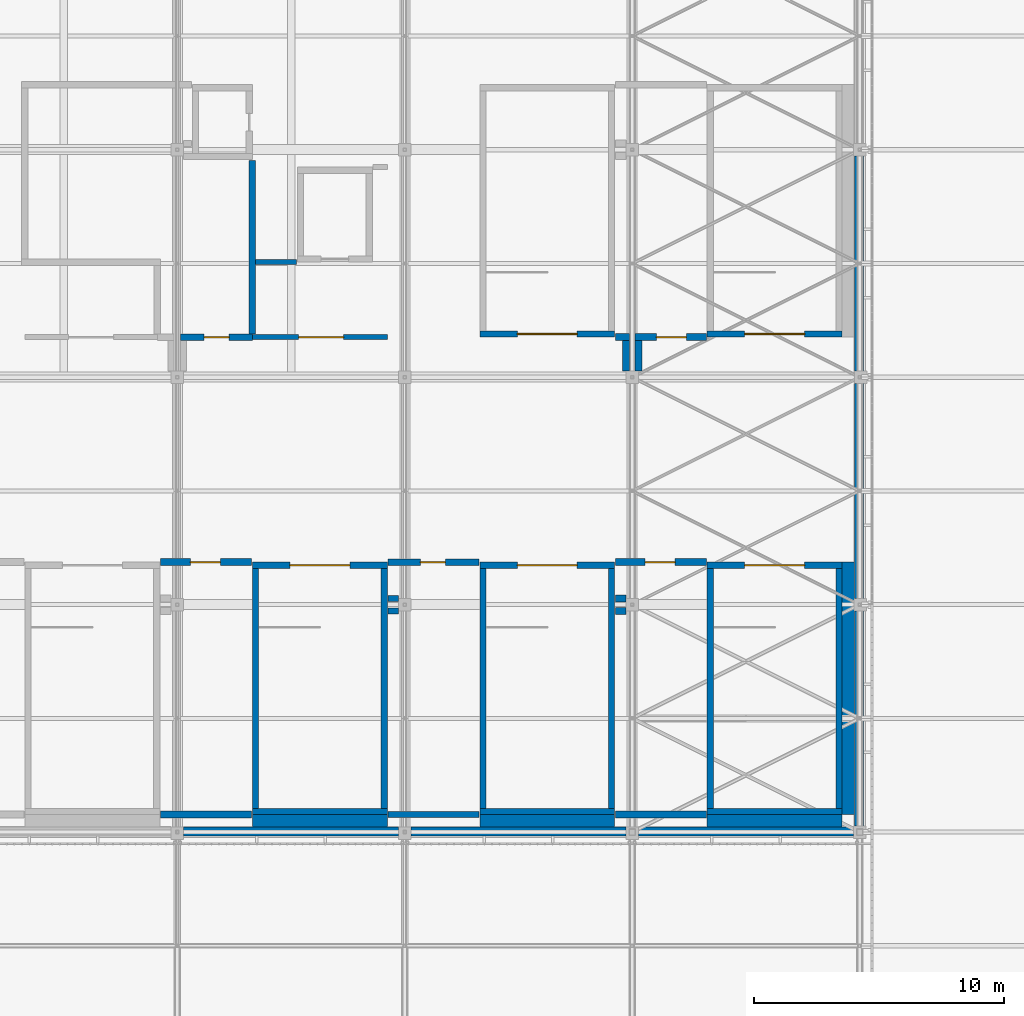
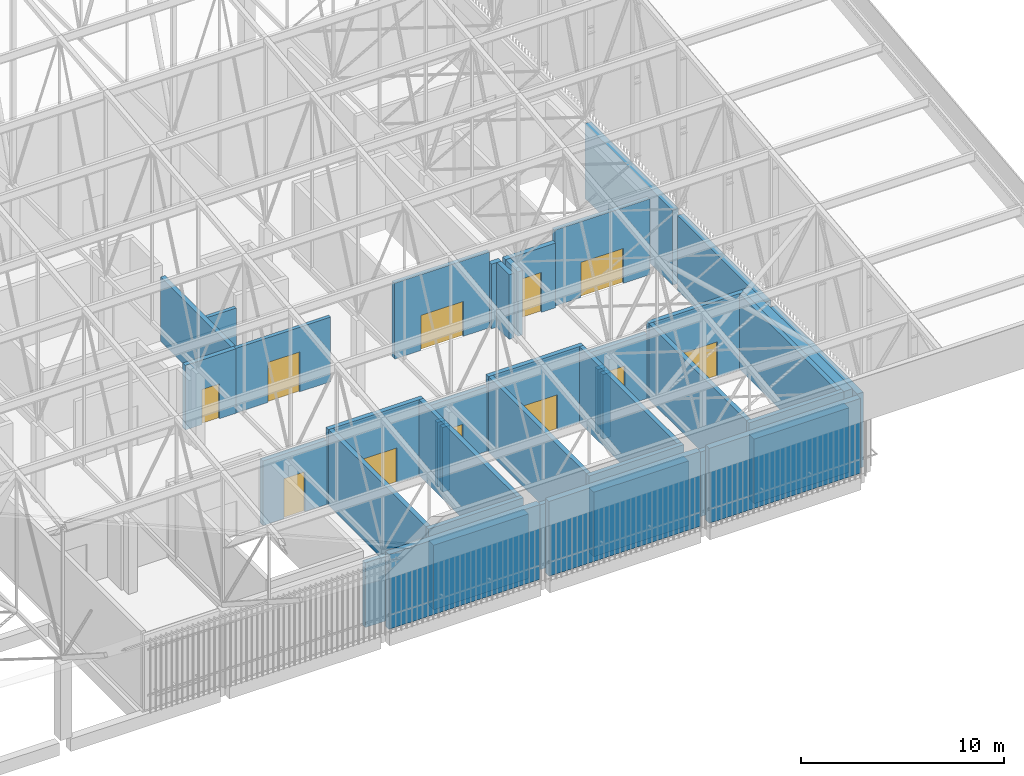
# One storey, part 435 of 500: 42 walls, 11 doors, 11 openings.
"""IFC4 building model written with IfcOpenShell, lengths in metres."""

from ifc_helpers import new_model, si_unit, direction, frame, frame_2d, origin, place, context, subcontext, project, spatial, rectangle, extrude, material, layer, layer_set, type_object, element, fill, save


model = new_model("IFC4")

# Units and contexts
model_context = context("Model", 3, precision=1e-05, world=origin(), true_north=direction((0.0, 1.0)))
body_context = subcontext(model_context, "Body", "Model", "MODEL_VIEW")
ifc_project = project(units=[si_unit("LENGTHUNIT", "METRE"), si_unit("AREAUNIT", "SQUARE_METRE"), si_unit("VOLUMEUNIT", "CUBIC_METRE"), si_unit("PLANEANGLEUNIT", "RADIAN"), si_unit("MASSUNIT", "GRAM", prefix="KILO")], contexts=[model_context])

# Site, building, storey
site_placement = place(None, origin())
site = spatial("IfcSite", under=ifc_project, at=site_placement, CompositionType="ELEMENT")
building_placement = place(site_placement, origin())
building = spatial("IfcBuilding", under=site, at=building_placement, Name="Shirokan Park Arena", CompositionType="ELEMENT")
storey_placement = place(building_placement, frame((0.0, 0.0, 29.1201171875)))
storey = spatial("IfcBuildingStorey", under=building, at=storey_placement, Name="L06", CompositionType="ELEMENT", Elevation=29.1201171875)

# Wall, opening, door
ifc_material_1 = material(Name="Plaster")
ifc_layer_1 = layer(ifc_material_1, 0.014892578125, Name="Plaster")
ifc_material_2 = material(Name="Concrete blockwork", Category="masonry")
ifc_layer_2 = layer(ifc_material_2, 0.219970703125, Name="Concrete blockwork 220")
ifc_layer_3 = layer(ifc_material_1, 0.014892578125, Name="Plaster")
ifc_layer_set_1 = layer_set([ifc_layer_1, ifc_layer_2, ifc_layer_3], Name="Plaster + Concrete blockwork 220")
wall_type_1 = type_object("IfcWallType", Name="Compartment wall 250", PredefinedType="SOLIDWALL", material=ifc_layer_set_1)
wall_1_placement = place(storey_placement, frame((118.425048828125, 19.800048828125, 0.0), z_axis=(0.0, 0.0, 1.0), x_axis=(1.0, 0.0, 0.0)))
wall_1 = element("IfcWall", 1, at=wall_1_placement, inside=storey, type_object=wall_type_1, Name="Compartment wall 250 L06", PredefinedType="SOLIDWALL", context=body_context, shape_type="SweptSolid", body=[
    extrude(rectangle(XDim=2.875, YDim=0.25, at=frame_2d((1.4375, 0.0))), origin(), (0.0, 0.0, 1.0), 3.8798828125),
])
opening_1_placement = place(wall_1_placement, frame((0.949951171875, 0.0, 0.0)))
opening_1 = element("IfcOpeningElement", 2, at=opening_1_placement, cuts=wall_1, Name="Opening D-6014", PredefinedType="OPENING", context=body_context, shape_type="SweptSolid", body=[
    extrude(rectangle(XDim=1.0, YDim=2.10009765625, at=frame_2d((0.5, 1.050048828125))), frame((0.0, 0.135009765625, 0.0), z_axis=(0.0, -1.0, 0.0), x_axis=(1.0, 0.0, 0.0)), (0.0, 0.0, 1.0), 0.27001953125),
])
ifc_material_3 = material(Name="Timber door set, fire resisting", Category="wood")
door_type_1 = type_object("IfcDoorType", Name="Door 1000 x 2100", OperationType="SINGLE_SWING_LEFT", PredefinedType="DOOR", material=ifc_material_3)
door_1_placement = place(opening_1_placement, origin())
door_1 = element("IfcDoor", 3, at=door_1_placement, inside=storey, type_object=door_type_1, Name="Door to Maintenance Equipment Store 6.28 D-6014", OperationType="SINGLE_SWING_LEFT", OverallHeight=2.10009765625, OverallWidth=1.0, PredefinedType="DOOR", context=body_context, shape_type="SweptSolid", body=[
    extrude(rectangle(XDim=1.0, YDim=2.10009765625, at=frame_2d((0.5, 1.050048828125))), frame((0.0, 0.02490234375, 0.0), z_axis=(0.0, -1.0, 0.0), x_axis=(1.0, 0.0, 0.0)), (0.0, 0.0, 1.0), 0.050048828125),
])
fill(opening_1, door_1)

# Walls
wall_2_placement = place(storey_placement, frame((121.300048828125, 19.925048828125, 0.0), z_axis=(0.0, 0.0, 1.0), x_axis=(0.0, 1.0, 0.0)))
element("IfcWall", 4, at=wall_2_placement, inside=storey, type_object=wall_type_1, Name="Compartment wall 250 L06", PredefinedType="SOLIDWALL", context=body_context, shape_type="SweptSolid", body=[
    extrude(rectangle(XDim=6.945068359375, YDim=0.25, at=frame_2d((3.47265625, 0.0))), origin(), (0.0, 0.0, 1.0), 3.8798828125),
])
for number, where, z_axis, x_axis, name in (
    (5, (126.72998046875, 8.85009765625, 0.0), (0.0, 0.0, 1.0), (1.0, 0.0, 0.0), "Compartment wall 250 L06"),
    (6, (127.14990234375, 9.35009765625, 0.0), (0.0, 0.0, 1.0), (-1.0, 0.0, 0.0), "Compartment wall 250 L06"),
):
    element("IfcWall", number, at=place(storey_placement, frame(where, z_axis=z_axis, x_axis=x_axis)), inside=storey, type_object=wall_type_1, Name=name, PredefinedType="SOLIDWALL", context=body_context, shape_type="SweptSolid", body=[
        extrude(rectangle(XDim=0.419921875, YDim=0.25, at=frame_2d((0.2099609375, 0.0))), origin(), (0.0, 0.0, 1.0), 3.8798828125),
    ])
wall_3_placement = place(storey_placement, frame((130.3701171875, 0.699951171875, 0.0), z_axis=(0.0, 0.0, 1.0), x_axis=(-1.0, 0.0, 0.0)))
element("IfcWall", 7, at=wall_3_placement, inside=storey, type_object=wall_type_1, Name="Compartment wall 250 L06", PredefinedType="SOLIDWALL", context=body_context, shape_type="SweptSolid", body=[
    extrude(rectangle(XDim=3.64013671875, YDim=0.25, at=frame_2d((1.820068359375, 0.0))), origin(), (0.0, 0.0, 1.0), 3.8798828125),
])

# Wall, opening, door
wall_4_placement = place(storey_placement, frame((130.3701171875, 10.800048828125, 0.0), z_axis=(0.0, 0.0, 1.0), x_axis=(-1.0, 0.0, 0.0)))
wall_4 = element("IfcWall", 8, at=wall_4_placement, inside=storey, type_object=wall_type_1, Name="Compartment wall 250 L06", PredefinedType="SOLIDWALL", context=body_context, shape_type="SweptSolid", body=[
    extrude(rectangle(XDim=3.64013671875, YDim=0.25, at=frame_2d((1.820068359375, 0.0))), origin(), (0.0, 0.0, 1.0), 3.8798828125),
])
opening_2_placement = place(wall_4_placement, frame((1.35009765625, 0.0, 0.0)))
opening_2 = element("IfcOpeningElement", 9, at=opening_2_placement, cuts=wall_4, Name="Opening D-6017", PredefinedType="OPENING", context=body_context, shape_type="SweptSolid", body=[
    extrude(rectangle(XDim=1.0, YDim=2.10009765625, at=frame_2d((0.5, 1.050048828125))), frame((0.0, 0.135009765625, 0.0), z_axis=(0.0, -1.0, 0.0), x_axis=(1.0, 0.0, 0.0)), (0.0, 0.0, 1.0), 0.27001953125),
])
door_2_placement = place(opening_2_placement, origin())
door_2 = element("IfcDoor", 10, at=door_2_placement, inside=storey, type_object=door_type_1, Name="Door to Maintenance Equipment Store 6.21 D-6017", OperationType="SINGLE_SWING_LEFT", OverallHeight=2.10009765625, OverallWidth=1.0, PredefinedType="DOOR", context=body_context, shape_type="SweptSolid", body=[
    extrude(rectangle(XDim=1.0, YDim=2.10009765625, at=frame_2d((0.5, 1.050048828125))), frame((0.0, 0.02490234375, 0.0), z_axis=(0.0, -1.0, 0.0), x_axis=(1.0, 0.0, 0.0)), (0.0, 0.0, 1.0), 0.050048828125),
])
fill(opening_2, door_2)

ifc_material_4 = material(Name="Gypsum board")
ifc_layer_4 = layer(ifc_material_4, 0.02490234375, Name="Gypsum board, two layers")
ifc_material_5 = material(Name="Mineral wool insulation")
ifc_layer_5 = layer(ifc_material_5, 0.14990234375, Name="Mineral wool insulation")
ifc_layer_6 = layer(ifc_material_4, 0.02490234375, Name="Gypsum board, two layers")
ifc_layer_set_2 = layer_set([ifc_layer_4, ifc_layer_5, ifc_layer_6], Name="Gypsum board, two layers + Mineral wool insulation")
wall_type_2 = type_object("IfcWallType", Name="Corridor wall 200", PredefinedType="PARTITIONING", material=ifc_layer_set_2)
wall_5_placement = place(storey_placement, frame((121.300048828125, 19.800048828125, 0.0), z_axis=(0.0, 0.0, 1.0), x_axis=(1.0, 0.0, 0.0)))
wall_5 = element("IfcWall", 11, at=wall_5_placement, inside=storey, type_object=wall_type_2, Name="Corridor wall 200 L06", PredefinedType="PARTITIONING", context=body_context, shape_type="SweptSolid", body=[
    extrude(rectangle(XDim=5.39990234375, YDim=0.199951171875, at=frame_2d((2.699951171875, 0.0))), origin(), (0.0, 0.0, 1.0), 3.8798828125),
])
opening_3_placement = place(wall_5_placement, frame((1.85009765625, 0.0, 0.0)))
opening_3 = element("IfcOpeningElement", 12, at=opening_3_placement, cuts=wall_5, Name="Opening D-6051", PredefinedType="OPENING", context=body_context, shape_type="SweptSolid", body=[
    extrude(rectangle(XDim=1.800048828125, YDim=2.39990234375, at=frame_2d((0.89990234375, 1.199951171875))), frame((0.0, 0.10986328125, 0.0), z_axis=(0.0, -1.0, 0.0), x_axis=(1.0, 0.0, 0.0)), (0.0, 0.0, 1.0), 0.219970703125),
])
ifc_material_6 = material(Name="Glazed steel door set, fire resisting", Category="steel")
door_type_2 = type_object("IfcDoorType", Name="Lift lobby door 1800 x 2400", OperationType="DOUBLE_DOOR_SINGLE_SWING", PredefinedType="DOOR", material=ifc_material_6)
door_3_placement = place(opening_3_placement, origin())
door_3 = element("IfcDoor", 13, at=door_3_placement, inside=storey, type_object=door_type_2, Name="Door between Plant Gallery 2.6.1 and Service Lift Lobby 2.6 D-6051", OperationType="DOUBLE_DOOR_SINGLE_SWING", OverallHeight=2.39990234375, OverallWidth=1.800048828125, PredefinedType="DOOR", context=body_context, shape_type="SweptSolid", body=[
    extrude(rectangle(XDim=1.800048828125, YDim=2.39990234375, at=frame_2d((0.89990234375, 1.199951171875))), frame((0.0, 0.02490234375, 0.0), z_axis=(0.0, -1.0, 0.0), x_axis=(1.0, 0.0, 0.0)), (0.0, 0.0, 1.0), 0.050048828125),
])
fill(opening_3, door_3)

# Walls
wall_6_placement = place(storey_placement, frame((121.425048828125, 22.800048828125, 0.0), z_axis=(0.0, 0.0, 1.0), x_axis=(1.0, 0.0, 0.0)))
element("IfcWall", 14, at=wall_6_placement, inside=storey, type_object=wall_type_2, Name="Corridor wall 200 L06", PredefinedType="PARTITIONING", context=body_context, shape_type="SweptSolid", body=[
    extrude(rectangle(XDim=1.64501953125, YDim=0.199951171875, at=frame_2d((0.822509765625, 0.0))), origin(), (0.0, 0.0, 1.0), 3.8798828125),
])
ifc_material_7 = material(Name="Cedar cladding")
ifc_layer_7 = layer(ifc_material_7, 0.030029296875, Name="Cedar cladding")
ifc_layer_8 = layer(ifc_material_5, 0.10009765625, Name="Mineral wool insulation")
ifc_material_8 = material(Name="Concrete C35", Category="concrete")
ifc_layer_9 = layer(ifc_material_8, 0.199951171875, Name="Concrete C35")
ifc_material_9 = material(Name="Gypsum board lining")
ifc_layer_10 = layer(ifc_material_9, 0.02001953125, Name="Gypsum board lining")
ifc_layer_set_3 = layer_set([ifc_layer_7, ifc_layer_8, ifc_layer_9, ifc_layer_10], Name="Cedar cladding + Mineral wool insulation + Concrete C35 + Gypsum board lining")
wall_type_3 = type_object("IfcWallType", Name="Insulated tower wall 350", PredefinedType="SOLIDWALL", material=ifc_layer_set_3)
wall_7_placement = place(storey_placement, frame((118.550048828125, 0.02490234375, 0.0), z_axis=(0.0, 0.0, 1.0), x_axis=(1.0, 0.0, 0.0)))
element("IfcWall", 15, at=wall_7_placement, inside=storey, type_object=wall_type_3, Name="South facade wall bay 14 L06", PredefinedType="SOLIDWALL", context=body_context, shape_type="SweptSolid", body=[
    extrude(rectangle(XDim=8.599853515625, YDim=0.35009765625, at=frame_2d((4.2998046875, 0.0))), origin(), (0.0, 0.0, 1.0), 4.5),
])
for number, where, z_axis, x_axis, name in (
    (16, (127.64990234375, 0.02490234375, 0.0), (0.0, 0.0, 1.0), (1.0, 0.0, 0.0), "South facade wall bay 15 L06"),
    (17, (136.75, 0.02490234375, 0.0), (0.0, 0.0, 1.0), (1.0, 0.0, 0.0), "South facade wall bay 16 L06"),
    (18, (145.574951171875, 0.25, 0.0), (0.0, 0.0, 1.0), (0.0, 1.0, 0.0), "East facade wall bay 1 L06"),
):
    element("IfcWall", number, at=place(storey_placement, frame(where, z_axis=z_axis, x_axis=x_axis)), inside=storey, type_object=wall_type_3, Name=name, PredefinedType="SOLIDWALL", context=body_context, shape_type="SweptSolid", body=[
        extrude(rectangle(XDim=8.60009765625, YDim=0.35009765625, at=frame_2d((4.300048828125, 0.0))), origin(), (0.0, 0.0, 1.0), 4.5),
    ])
wall_8_placement = place(storey_placement, frame((145.574951171875, 9.35009765625, 0.0), z_axis=(0.0, 0.0, 1.0), x_axis=(0.0, 1.0, 0.0)))
element("IfcWall", 19, at=wall_8_placement, inside=storey, type_object=wall_type_3, Name="East facade wall bay 2 L06", PredefinedType="SOLIDWALL", context=body_context, shape_type="SweptSolid", body=[
    extrude(rectangle(XDim=8.599853515625, YDim=0.35009765625, at=frame_2d((4.2998046875, 0.0))), origin(), (0.0, 0.0, 1.0), 4.5),
])
wall_9_placement = place(storey_placement, frame((145.574951171875, 18.449951171875, 0.0), z_axis=(0.0, 0.0, 1.0), x_axis=(0.0, 1.0, 0.0)))
element("IfcWall", 20, at=wall_9_placement, inside=storey, type_object=wall_type_3, Name="East facade wall bay 3 L06", PredefinedType="SOLIDWALL", context=body_context, shape_type="SweptSolid", body=[
    extrude(rectangle(XDim=8.60009765625, YDim=0.35009765625, at=frame_2d((4.300048828125, 0.0))), origin(), (0.0, 0.0, 1.0), 4.5),
])
ifc_layer_11 = layer(ifc_material_1, 0.012451171875, Name="Plaster")
ifc_layer_12 = layer(ifc_material_2, 0.25, Name="Concrete blockwork 250")
ifc_layer_13 = layer(ifc_material_1, 0.012451171875, Name="Plaster")
ifc_layer_set_4 = layer_set([ifc_layer_11, ifc_layer_12, ifc_layer_13], Name="Plaster + Concrete blockwork 250")
wall_type_4 = type_object("IfcWallType", Name="Plant room wall 275", PredefinedType="SOLIDWALL", material=ifc_layer_set_4)
wall_10_placement = place(storey_placement, frame((121.27001953125, 0.699951171875, 0.0), z_axis=(0.0, 0.0, 1.0), x_axis=(-1.0, 0.0, 0.0)))
element("IfcWall", 21, at=wall_10_placement, inside=storey, type_object=wall_type_4, Name="Plant room wall 275 L06", PredefinedType="SOLIDWALL", context=body_context, shape_type="SweptSolid", body=[
    extrude(rectangle(XDim=3.64013671875, YDim=0.27490234375, at=frame_2d((1.820068359375, 0.0))), origin(), (0.0, 0.0, 1.0), 3.8798828125),
])

# Wall, opening, door
wall_11_placement = place(storey_placement, frame((121.27001953125, 10.800048828125, 0.0), z_axis=(0.0, 0.0, 1.0), x_axis=(-1.0, 0.0, 0.0)))
wall_11 = element("IfcWall", 22, at=wall_11_placement, inside=storey, type_object=wall_type_4, Name="Plant room wall 275 L06", PredefinedType="SOLIDWALL", context=body_context, shape_type="SweptSolid", body=[
    extrude(rectangle(XDim=3.64013671875, YDim=0.27490234375, at=frame_2d((1.820068359375, 0.0))), origin(), (0.0, 0.0, 1.0), 3.8798828125),
])
opening_4_placement = place(wall_11_placement, frame((1.25, 0.0, 0.0)))
opening_4 = element("IfcOpeningElement", 23, at=opening_4_placement, cuts=wall_11, Name="Opening D-6018", PredefinedType="OPENING", context=body_context, shape_type="SweptSolid", body=[
    extrude(rectangle(XDim=1.199951171875, YDim=2.39990234375, at=frame_2d((0.60009765625, 1.199951171875))), frame((0.0, 0.1474609375, 0.0), z_axis=(0.0, -1.0, 0.0), x_axis=(1.0, 0.0, 0.0)), (0.0, 0.0, 1.0), 0.294921875),
])
ifc_material_10 = material(Name="Louvred steel door set, fire resisting", Category="steel")
door_type_3 = type_object("IfcDoorType", Name="Plant room door 1200 x 2400", OperationType="SINGLE_SWING_LEFT", PredefinedType="DOOR", material=ifc_material_10)
door_4_placement = place(opening_4_placement, origin())
door_4 = element("IfcDoor", 24, at=door_4_placement, inside=storey, type_object=door_type_3, Name="Door to Tank Room 6.22 D-6018", OperationType="SINGLE_SWING_LEFT", OverallHeight=2.39990234375, OverallWidth=1.199951171875, PredefinedType="DOOR", context=body_context, shape_type="SweptSolid", body=[
    extrude(rectangle(XDim=1.199951171875, YDim=2.39990234375, at=frame_2d((0.60009765625, 1.199951171875))), frame((0.0, 0.02490234375, 0.0), z_axis=(0.0, -1.0, 0.0), x_axis=(1.0, 0.0, 0.0)), (0.0, 0.0, 1.0), 0.050048828125),
])
fill(opening_4, door_4)

# Walls
wall_12_placement = place(storey_placement, frame((135.830078125, 8.85009765625, 0.0), z_axis=(0.0, 0.0, 1.0), x_axis=(1.0, 0.0, 0.0)))
element("IfcWall", 25, at=wall_12_placement, inside=storey, type_object=wall_type_4, Name="Plant room wall 275 L06", PredefinedType="SOLIDWALL", context=body_context, shape_type="SweptSolid", body=[
    extrude(rectangle(XDim=0.419921875, YDim=0.27490234375, at=frame_2d((0.2099609375, 0.0))), origin(), (0.0, 0.0, 1.0), 3.8798828125),
])
wall_13_placement = place(storey_placement, frame((135.830078125, 19.800048828125, 0.0), z_axis=(0.0, 0.0, 1.0), x_axis=(1.0, 0.0, 0.0)))
element("IfcWall", 26, at=wall_13_placement, inside=storey, type_object=wall_type_4, Name="Plant room wall 275 L06", PredefinedType="SOLIDWALL", context=body_context, shape_type="SweptSolid", body=[
    extrude(rectangle(XDim=0.557373046875, YDim=0.27490234375, at=frame_2d((0.27880859375, 0.0))), origin(), (0.0, 0.0, 1.0), 3.8798828125),
])
wall_14_placement = place(storey_placement, frame((136.25, 9.35009765625, 0.0), z_axis=(0.0, 0.0, 1.0), x_axis=(-1.0, 0.0, 0.0)))
element("IfcWall", 27, at=wall_14_placement, inside=storey, type_object=wall_type_4, Name="Plant room wall 275 L06", PredefinedType="SOLIDWALL", context=body_context, shape_type="SweptSolid", body=[
    extrude(rectangle(XDim=0.419921875, YDim=0.27490234375, at=frame_2d((0.2099609375, 0.0))), origin(), (0.0, 0.0, 1.0), 3.8798828125),
])
wall_15_placement = place(storey_placement, frame((136.25, 19.66259765625, 0.0), z_axis=(0.0, 0.0, 1.0), x_axis=(0.0, -1.0, 0.0)))
element("IfcWall", 28, at=wall_15_placement, inside=storey, type_object=wall_type_4, Name="Plant room wall 275 L06", PredefinedType="SOLIDWALL", context=body_context, shape_type="SweptSolid", body=[
    extrude(rectangle(XDim=1.212646484375, YDim=0.27490234375, at=frame_2d((0.6064453125, 0.0))), origin(), (0.0, 0.0, 1.0), 3.8798828125),
])

# Wall, opening, door
wall_16_placement = place(storey_placement, frame((136.612548828125, 19.800048828125, 0.0), z_axis=(0.0, 0.0, 1.0), x_axis=(1.0, 0.0, 0.0)))
wall_16 = element("IfcWall", 29, at=wall_16_placement, inside=storey, type_object=wall_type_4, Name="Plant room wall 275 L06", PredefinedType="SOLIDWALL", context=body_context, shape_type="SweptSolid", body=[
    extrude(rectangle(XDim=2.857421875, YDim=0.27490234375, at=frame_2d((1.4287109375, 0.0))), origin(), (0.0, 0.0, 1.0), 3.8798828125),
])
opening_5_placement = place(wall_16_placement, frame((0.85009765625, 0.0, 0.0)))
opening_5 = element("IfcOpeningElement", 30, at=opening_5_placement, cuts=wall_16, Name="Opening D-6013", PredefinedType="OPENING", context=body_context, shape_type="SweptSolid", body=[
    extrude(rectangle(XDim=1.199951171875, YDim=2.39990234375, at=frame_2d((0.60009765625, 1.199951171875))), frame((0.0, 0.1474609375, 0.0), z_axis=(0.0, -1.0, 0.0), x_axis=(1.0, 0.0, 0.0)), (0.0, 0.0, 1.0), 0.294921875),
])
door_5_placement = place(opening_5_placement, origin())
door_5 = element("IfcDoor", 31, at=door_5_placement, inside=storey, type_object=door_type_3, Name="Door to Electrical Room 6.27 D-6013", OperationType="SINGLE_SWING_LEFT", OverallHeight=2.39990234375, OverallWidth=1.199951171875, PredefinedType="DOOR", context=body_context, shape_type="SweptSolid", body=[
    extrude(rectangle(XDim=1.199951171875, YDim=2.39990234375, at=frame_2d((0.60009765625, 1.199951171875))), frame((0.0, 0.02490234375, 0.0), z_axis=(0.0, -1.0, 0.0), x_axis=(1.0, 0.0, 0.0)), (0.0, 0.0, 1.0), 0.050048828125),
])
fill(opening_5, door_5)

# Walls
wall_17_placement = place(storey_placement, frame((136.75, 18.449951171875, 0.0), z_axis=(0.0, 0.0, 1.0), x_axis=(0.0, 1.0, 0.0)))
element("IfcWall", 32, at=wall_17_placement, inside=storey, type_object=wall_type_4, Name="Plant room wall 275 L06", PredefinedType="SOLIDWALL", context=body_context, shape_type="SweptSolid", body=[
    extrude(rectangle(XDim=1.212646484375, YDim=0.27490234375, at=frame_2d((0.6064453125, 0.0))), origin(), (0.0, 0.0, 1.0), 3.8798828125),
])
wall_18_placement = place(storey_placement, frame((139.469970703125, 0.699951171875, 0.0), z_axis=(0.0, 0.0, 1.0), x_axis=(-1.0, 0.0, 0.0)))
element("IfcWall", 33, at=wall_18_placement, inside=storey, type_object=wall_type_4, Name="Plant room wall 275 L06", PredefinedType="SOLIDWALL", context=body_context, shape_type="SweptSolid", body=[
    extrude(rectangle(XDim=3.639892578125, YDim=0.27490234375, at=frame_2d((1.81982421875, 0.0))), origin(), (0.0, 0.0, 1.0), 3.8798828125),
])

# Wall, opening, door
wall_19_placement = place(storey_placement, frame((139.469970703125, 10.800048828125, 0.0), z_axis=(0.0, 0.0, 1.0), x_axis=(-1.0, 0.0, 0.0)))
wall_19 = element("IfcWall", 34, at=wall_19_placement, inside=storey, type_object=wall_type_4, Name="Plant room wall 275 L06", PredefinedType="SOLIDWALL", context=body_context, shape_type="SweptSolid", body=[
    extrude(rectangle(XDim=3.639892578125, YDim=0.27490234375, at=frame_2d((1.81982421875, 0.0))), origin(), (0.0, 0.0, 1.0), 3.8798828125),
])
opening_6_placement = place(wall_19_placement, frame((1.25, 0.0, 0.0)))
opening_6 = element("IfcOpeningElement", 35, at=opening_6_placement, cuts=wall_19, Name="Opening D-6016", PredefinedType="OPENING", context=body_context, shape_type="SweptSolid", body=[
    extrude(rectangle(XDim=1.199951171875, YDim=2.39990234375, at=frame_2d((0.60009765625, 1.199951171875))), frame((0.0, 0.1474609375, 0.0), z_axis=(0.0, -1.0, 0.0), x_axis=(1.0, 0.0, 0.0)), (0.0, 0.0, 1.0), 0.294921875),
])
door_6_placement = place(opening_6_placement, origin())
door_6 = element("IfcDoor", 36, at=door_6_placement, inside=storey, type_object=door_type_3, Name="Door to Communications Room 6.20 D-6016", OperationType="SINGLE_SWING_LEFT", OverallHeight=2.39990234375, OverallWidth=1.199951171875, PredefinedType="DOOR", context=body_context, shape_type="SweptSolid", body=[
    extrude(rectangle(XDim=1.199951171875, YDim=2.39990234375, at=frame_2d((0.60009765625, 1.199951171875))), frame((0.0, 0.02490234375, 0.0), z_axis=(0.0, -1.0, 0.0), x_axis=(1.0, 0.0, 0.0)), (0.0, 0.0, 1.0), 0.050048828125),
])
fill(opening_6, door_6)

# Wall
ifc_material_11 = material(Name="Concrete C40/50", Category="concrete")
ifc_layer_14 = layer(ifc_material_11, 0.25)
ifc_layer_set_5 = layer_set([ifc_layer_14], Name="Concrete C40/50 250 mm")
wall_type_5 = type_object("IfcWallType", Name="RC shear wall 250", PredefinedType="SHEAR", material=ifc_layer_set_5)
wall_20_placement = place(storey_placement, frame((144.89990234375, 0.824951171875, 0.0), z_axis=(0.0, 0.0, 1.0), x_axis=(-1.0, 0.0, 0.0)))
element("IfcWall", 37, at=wall_20_placement, inside=storey, type_object=wall_type_5, Name="Shaft wall Exit Stair 2.A S L06", PredefinedType="SHEAR", context=body_context, shape_type="SweptSolid", body=[
    extrude(rectangle(XDim=5.39990234375, YDim=0.25, at=frame_2d((2.699951171875, 0.0))), origin(), (0.0, 0.0, 1.0), 4.5498046875),
])

# Wall, opening, door
wall_21_placement = place(storey_placement, frame((144.89990234375, 10.675048828125, 0.0), z_axis=(0.0, 0.0, 1.0), x_axis=(-1.0, 0.0, 0.0)))
wall_21 = element("IfcWall", 38, at=wall_21_placement, inside=storey, type_object=wall_type_5, Name="Shaft wall Exit Stair 2.A N L06", PredefinedType="SHEAR", context=body_context, shape_type="SweptSolid", body=[
    extrude(rectangle(XDim=5.39990234375, YDim=0.25, at=frame_2d((2.699951171875, 0.0))), origin(), (0.0, 0.0, 1.0), 4.5498046875),
])
opening_7_placement = place(wall_21_placement, frame((1.5, 0.0, 0.0)))
opening_7 = element("IfcOpeningElement", 39, at=opening_7_placement, cuts=wall_21, Name="Opening D-6071", PredefinedType="OPENING", context=body_context, shape_type="SweptSolid", body=[
    extrude(rectangle(XDim=2.39990234375, YDim=2.10009765625, at=frame_2d((1.199951171875, 1.050048828125))), frame((0.0, 0.135009765625, 0.0), z_axis=(0.0, -1.0, 0.0), x_axis=(1.0, 0.0, 0.0)), (0.0, 0.0, 1.0), 0.27001953125),
])
ifc_material_12 = material(Name="Steel door set, fire resisting", Category="steel")
door_type_4 = type_object("IfcDoorType", Name="Stair door 2400 x 2100", OperationType="DOUBLE_DOOR_SINGLE_SWING", PredefinedType="DOOR", material=ifc_material_12)
door_7_placement = place(opening_7_placement, origin())
door_7 = element("IfcDoor", 40, at=door_7_placement, inside=storey, type_object=door_type_4, Name="Stair door Exit Stair 2.A D-6071", OperationType="DOUBLE_DOOR_SINGLE_SWING", OverallHeight=2.10009765625, OverallWidth=2.39990234375, PredefinedType="DOOR", context=body_context, shape_type="SweptSolid", body=[
    extrude(rectangle(XDim=2.39990234375, YDim=2.10009765625, at=frame_2d((1.199951171875, 1.050048828125))), frame((0.0, 0.02490234375, 0.0), z_axis=(0.0, -1.0, 0.0), x_axis=(1.0, 0.0, 0.0)), (0.0, 0.0, 1.0), 0.050048828125),
])
fill(opening_7, door_7)

# Walls
for number, where, z_axis, x_axis, name in (
    (41, (139.625, 10.550048828125, 0.0), (0.0, 0.0, 1.0), (0.0, -1.0, 0.0), "Shaft wall Exit Stair 2.A W L06"),
    (42, (144.77490234375, 10.550048828125, 0.0), (0.0, 0.0, 1.0), (0.0, -1.0, 0.0), "Shaft wall Exit Stair 2.A E L06"),
):
    element("IfcWall", number, at=place(storey_placement, frame(where, z_axis=z_axis, x_axis=x_axis)), inside=storey, type_object=wall_type_5, Name=name, PredefinedType="SHEAR", context=body_context, shape_type="SweptSolid", body=[
        extrude(rectangle(XDim=9.60009765625, YDim=0.25, at=frame_2d((4.800048828125, 0.0))), origin(), (0.0, 0.0, 1.0), 4.5498046875),
    ])
wall_22_placement = place(storey_placement, frame((135.800048828125, 0.824951171875, 0.0), z_axis=(0.0, 0.0, 1.0), x_axis=(-1.0, 0.0, 0.0)))
element("IfcWall", 43, at=wall_22_placement, inside=storey, type_object=wall_type_5, Name="Shaft wall Exit Stair 2.B S L06", PredefinedType="SHEAR", context=body_context, shape_type="SweptSolid", body=[
    extrude(rectangle(XDim=5.400146484375, YDim=0.25, at=frame_2d((2.7001953125, 0.0))), origin(), (0.0, 0.0, 1.0), 4.5498046875),
])

# Wall, opening, door
wall_23_placement = place(storey_placement, frame((135.800048828125, 10.675048828125, 0.0), z_axis=(0.0, 0.0, 1.0), x_axis=(-1.0, 0.0, 0.0)))
wall_23 = element("IfcWall", 44, at=wall_23_placement, inside=storey, type_object=wall_type_5, Name="Shaft wall Exit Stair 2.B N L06", PredefinedType="SHEAR", context=body_context, shape_type="SweptSolid", body=[
    extrude(rectangle(XDim=5.400146484375, YDim=0.25, at=frame_2d((2.7001953125, 0.0))), origin(), (0.0, 0.0, 1.0), 4.5498046875),
])
opening_8_placement = place(wall_23_placement, frame((1.5, 0.0, 0.0)))
opening_8 = element("IfcOpeningElement", 45, at=opening_8_placement, cuts=wall_23, Name="Opening D-6072", PredefinedType="OPENING", context=body_context, shape_type="SweptSolid", body=[
    extrude(rectangle(XDim=2.39990234375, YDim=2.10009765625, at=frame_2d((1.199951171875, 1.050048828125))), frame((0.0, 0.135009765625, 0.0), z_axis=(0.0, -1.0, 0.0), x_axis=(1.0, 0.0, 0.0)), (0.0, 0.0, 1.0), 0.27001953125),
])
door_8_placement = place(opening_8_placement, origin())
door_8 = element("IfcDoor", 46, at=door_8_placement, inside=storey, type_object=door_type_4, Name="Stair door Exit Stair 2.B D-6072", OperationType="DOUBLE_DOOR_SINGLE_SWING", OverallHeight=2.10009765625, OverallWidth=2.39990234375, PredefinedType="DOOR", context=body_context, shape_type="SweptSolid", body=[
    extrude(rectangle(XDim=2.39990234375, YDim=2.10009765625, at=frame_2d((1.199951171875, 1.050048828125))), frame((0.0, 0.02490234375, 0.0), z_axis=(0.0, -1.0, 0.0), x_axis=(1.0, 0.0, 0.0)), (0.0, 0.0, 1.0), 0.050048828125),
])
fill(opening_8, door_8)

# Walls
for number, where, z_axis, x_axis, name in (
    (47, (130.52490234375, 10.550048828125, 0.0), (0.0, 0.0, 1.0), (0.0, -1.0, 0.0), "Shaft wall Exit Stair 2.B W L06"),
    (48, (135.675048828125, 10.550048828125, 0.0), (0.0, 0.0, 1.0), (0.0, -1.0, 0.0), "Shaft wall Exit Stair 2.B E L06"),
):
    element("IfcWall", number, at=place(storey_placement, frame(where, z_axis=z_axis, x_axis=x_axis)), inside=storey, type_object=wall_type_5, Name=name, PredefinedType="SHEAR", context=body_context, shape_type="SweptSolid", body=[
        extrude(rectangle(XDim=9.60009765625, YDim=0.25, at=frame_2d((4.800048828125, 0.0))), origin(), (0.0, 0.0, 1.0), 4.5498046875),
    ])
wall_24_placement = place(storey_placement, frame((126.699951171875, 0.824951171875, 0.0), z_axis=(0.0, 0.0, 1.0), x_axis=(-1.0, 0.0, 0.0)))
element("IfcWall", 49, at=wall_24_placement, inside=storey, type_object=wall_type_5, Name="Shaft wall Exit Stair 2.C S L06", PredefinedType="SHEAR", context=body_context, shape_type="SweptSolid", body=[
    extrude(rectangle(XDim=5.39990234375, YDim=0.25, at=frame_2d((2.699951171875, 0.0))), origin(), (0.0, 0.0, 1.0), 4.5498046875),
])

# Wall, opening, door
wall_25_placement = place(storey_placement, frame((126.699951171875, 10.675048828125, 0.0), z_axis=(0.0, 0.0, 1.0), x_axis=(-1.0, 0.0, 0.0)))
wall_25 = element("IfcWall", 50, at=wall_25_placement, inside=storey, type_object=wall_type_5, Name="Shaft wall Exit Stair 2.C N L06", PredefinedType="SHEAR", context=body_context, shape_type="SweptSolid", body=[
    extrude(rectangle(XDim=5.39990234375, YDim=0.25, at=frame_2d((2.699951171875, 0.0))), origin(), (0.0, 0.0, 1.0), 4.5498046875),
])
opening_9_placement = place(wall_25_placement, frame((1.5, 0.0, 0.0)))
opening_9 = element("IfcOpeningElement", 51, at=opening_9_placement, cuts=wall_25, Name="Opening D-6073", PredefinedType="OPENING", context=body_context, shape_type="SweptSolid", body=[
    extrude(rectangle(XDim=2.39990234375, YDim=2.10009765625, at=frame_2d((1.199951171875, 1.050048828125))), frame((0.0, 0.135009765625, 0.0), z_axis=(0.0, -1.0, 0.0), x_axis=(1.0, 0.0, 0.0)), (0.0, 0.0, 1.0), 0.27001953125),
])
door_9_placement = place(opening_9_placement, origin())
door_9 = element("IfcDoor", 52, at=door_9_placement, inside=storey, type_object=door_type_4, Name="Stair door Exit Stair 2.C D-6073", OperationType="DOUBLE_DOOR_SINGLE_SWING", OverallHeight=2.10009765625, OverallWidth=2.39990234375, PredefinedType="DOOR", context=body_context, shape_type="SweptSolid", body=[
    extrude(rectangle(XDim=2.39990234375, YDim=2.10009765625, at=frame_2d((1.199951171875, 1.050048828125))), frame((0.0, 0.02490234375, 0.0), z_axis=(0.0, -1.0, 0.0), x_axis=(1.0, 0.0, 0.0)), (0.0, 0.0, 1.0), 0.050048828125),
])
fill(opening_9, door_9)

# Walls
for number, where, z_axis, x_axis, name in (
    (53, (121.425048828125, 10.550048828125, 0.0), (0.0, 0.0, 1.0), (0.0, -1.0, 0.0), "Shaft wall Exit Stair 2.C W L06"),
    (54, (126.574951171875, 10.550048828125, 0.0), (0.0, 0.0, 1.0), (0.0, -1.0, 0.0), "Shaft wall Exit Stair 2.C E L06"),
):
    element("IfcWall", number, at=place(storey_placement, frame(where, z_axis=z_axis, x_axis=x_axis)), inside=storey, type_object=wall_type_5, Name=name, PredefinedType="SHEAR", context=body_context, shape_type="SweptSolid", body=[
        extrude(rectangle(XDim=9.60009765625, YDim=0.25, at=frame_2d((4.800048828125, 0.0))), origin(), (0.0, 0.0, 1.0), 4.5498046875),
    ])

# Wall, opening, door
wall_26_placement = place(storey_placement, frame((144.89990234375, 19.925048828125, 0.0), z_axis=(0.0, 0.0, 1.0), x_axis=(-1.0, 0.0, 0.0)))
wall_26 = element("IfcWall", 55, at=wall_26_placement, inside=storey, type_object=wall_type_5, Name="Shaft wall Exit Stair 2.E S L06", PredefinedType="SHEAR", context=body_context, shape_type="SweptSolid", body=[
    extrude(rectangle(XDim=5.39990234375, YDim=0.25, at=frame_2d((2.699951171875, 0.0))), origin(), (0.0, 0.0, 1.0), 4.5498046875),
])
opening_10_placement = place(wall_26_placement, frame((1.5, 0.0, 0.0)))
opening_10 = element("IfcOpeningElement", 56, at=opening_10_placement, cuts=wall_26, Name="Opening D-6075", PredefinedType="OPENING", context=body_context, shape_type="SweptSolid", body=[
    extrude(rectangle(XDim=2.39990234375, YDim=2.10009765625, at=frame_2d((1.199951171875, 1.050048828125))), frame((0.0, 0.135009765625, 0.0), z_axis=(0.0, -1.0, 0.0), x_axis=(1.0, 0.0, 0.0)), (0.0, 0.0, 1.0), 0.27001953125),
])
door_10_placement = place(opening_10_placement, origin())
door_10 = element("IfcDoor", 57, at=door_10_placement, inside=storey, type_object=door_type_4, Name="Stair door Exit Stair 2.E D-6075", OperationType="DOUBLE_DOOR_SINGLE_SWING", OverallHeight=2.10009765625, OverallWidth=2.39990234375, PredefinedType="DOOR", context=body_context, shape_type="SweptSolid", body=[
    extrude(rectangle(XDim=2.39990234375, YDim=2.10009765625, at=frame_2d((1.199951171875, 1.050048828125))), frame((0.0, 0.02490234375, 0.0), z_axis=(0.0, -1.0, 0.0), x_axis=(1.0, 0.0, 0.0)), (0.0, 0.0, 1.0), 0.050048828125),
])
fill(opening_10, door_10)

wall_27_placement = place(storey_placement, frame((135.800048828125, 19.925048828125, 0.0), z_axis=(0.0, 0.0, 1.0), x_axis=(-1.0, 0.0, 0.0)))
wall_27 = element("IfcWall", 58, at=wall_27_placement, inside=storey, type_object=wall_type_5, Name="Shaft wall Exit Stair 2.F S L06", PredefinedType="SHEAR", context=body_context, shape_type="SweptSolid", body=[
    extrude(rectangle(XDim=5.400146484375, YDim=0.25, at=frame_2d((2.7001953125, 0.0))), origin(), (0.0, 0.0, 1.0), 4.5498046875),
])
opening_11_placement = place(wall_27_placement, frame((1.5, 0.0, 0.0)))
opening_11 = element("IfcOpeningElement", 59, at=opening_11_placement, cuts=wall_27, Name="Opening D-6076", PredefinedType="OPENING", context=body_context, shape_type="SweptSolid", body=[
    extrude(rectangle(XDim=2.39990234375, YDim=2.10009765625, at=frame_2d((1.199951171875, 1.050048828125))), frame((0.0, 0.135009765625, 0.0), z_axis=(0.0, -1.0, 0.0), x_axis=(1.0, 0.0, 0.0)), (0.0, 0.0, 1.0), 0.27001953125),
])
door_11_placement = place(opening_11_placement, origin())
door_11 = element("IfcDoor", 60, at=door_11_placement, inside=storey, type_object=door_type_4, Name="Stair door Exit Stair 2.F D-6076", OperationType="DOUBLE_DOOR_SINGLE_SWING", OverallHeight=2.10009765625, OverallWidth=2.39990234375, PredefinedType="DOOR", context=body_context, shape_type="SweptSolid", body=[
    extrude(rectangle(XDim=2.39990234375, YDim=2.10009765625, at=frame_2d((1.199951171875, 1.050048828125))), frame((0.0, 0.02490234375, 0.0), z_axis=(0.0, -1.0, 0.0), x_axis=(1.0, 0.0, 0.0)), (0.0, 0.0, 1.0), 0.050048828125),
])
fill(opening_11, door_11)

# Walls
ifc_layer_15 = layer(ifc_material_8, 0.5)
ifc_layer_set_6 = layer_set([ifc_layer_15], Name="Concrete C35 500 mm")
wall_type_6 = type_object("IfcWallType", Name="Shaft infill wall 500", PredefinedType="SOLIDWALL", material=ifc_layer_set_6)
wall_28_placement = place(storey_placement, frame((139.5, 0.449951171875, 0.0), z_axis=(0.0, 0.0, 1.0), x_axis=(1.0, 0.0, 0.0)))
element("IfcWall", 61, at=wall_28_placement, inside=storey, type_object=wall_type_6, Name="Shaft infill wall L06", PredefinedType="SOLIDWALL", context=body_context, shape_type="SweptSolid", body=[
    extrude(rectangle(XDim=5.39990234375, YDim=0.5, at=frame_2d((2.699951171875, 0.0))), origin(), (0.0, 0.0, 1.0), 3.8798828125),
])
wall_29_placement = place(storey_placement, frame((145.14990234375, 0.699951171875, 0.0), z_axis=(0.0, 0.0, 1.0), x_axis=(0.0, 1.0, 0.0)))
element("IfcWall", 62, at=wall_29_placement, inside=storey, type_object=wall_type_6, Name="Shaft infill wall L06", PredefinedType="SOLIDWALL", context=body_context, shape_type="SweptSolid", body=[
    extrude(rectangle(XDim=10.10009765625, YDim=0.5, at=frame_2d((5.050048828125, 0.0))), origin(), (0.0, 0.0, 1.0), 4.5498046875),
])
wall_30_placement = place(storey_placement, frame((130.39990234375, 0.449951171875, 0.0), z_axis=(0.0, 0.0, 1.0), x_axis=(1.0, 0.0, 0.0)))
element("IfcWall", 63, at=wall_30_placement, inside=storey, type_object=wall_type_6, Name="Shaft infill wall L06", PredefinedType="SOLIDWALL", context=body_context, shape_type="SweptSolid", body=[
    extrude(rectangle(XDim=5.400146484375, YDim=0.5, at=frame_2d((2.7001953125, 0.0))), origin(), (0.0, 0.0, 1.0), 3.8798828125),
])
wall_31_placement = place(storey_placement, frame((121.300048828125, 0.449951171875, 0.0), z_axis=(0.0, 0.0, 1.0), x_axis=(1.0, 0.0, 0.0)))
element("IfcWall", 64, at=wall_31_placement, inside=storey, type_object=wall_type_6, Name="Shaft infill wall L06", PredefinedType="SOLIDWALL", context=body_context, shape_type="SweptSolid", body=[
    extrude(rectangle(XDim=5.39990234375, YDim=0.5, at=frame_2d((2.699951171875, 0.0))), origin(), (0.0, 0.0, 1.0), 3.8798828125),
])

save(model, "model.ifc")
